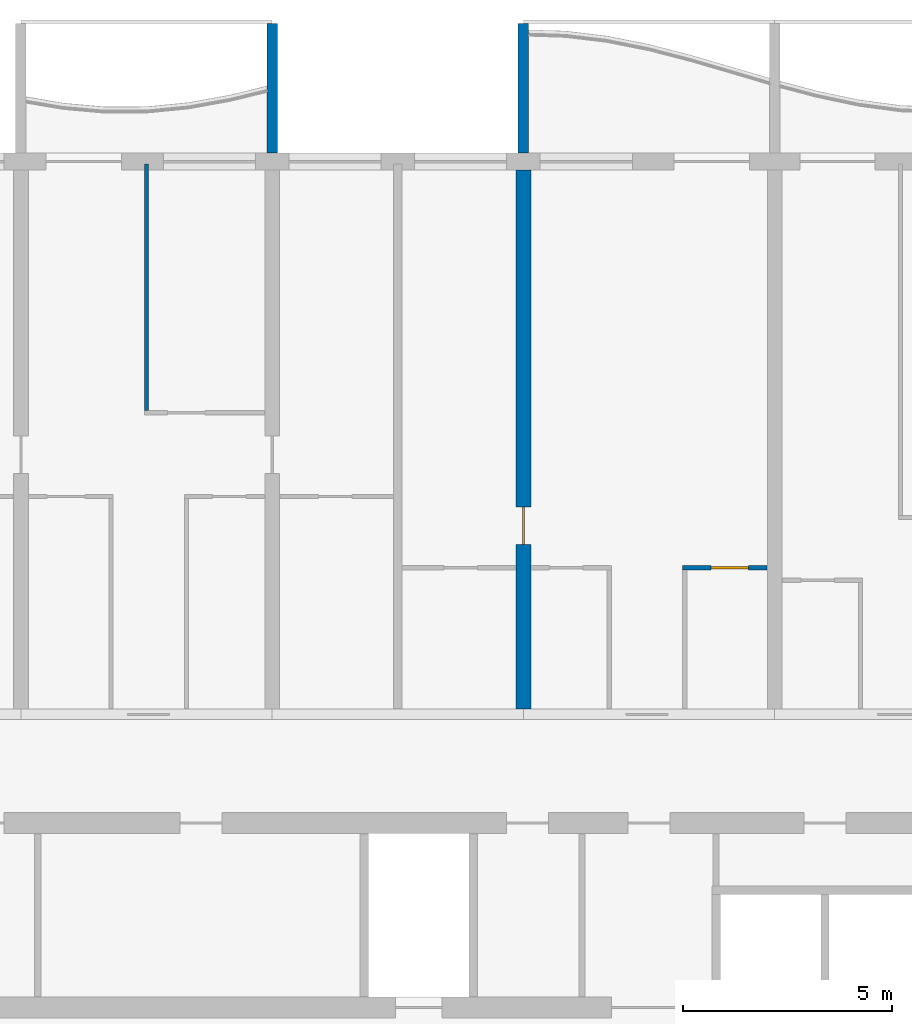
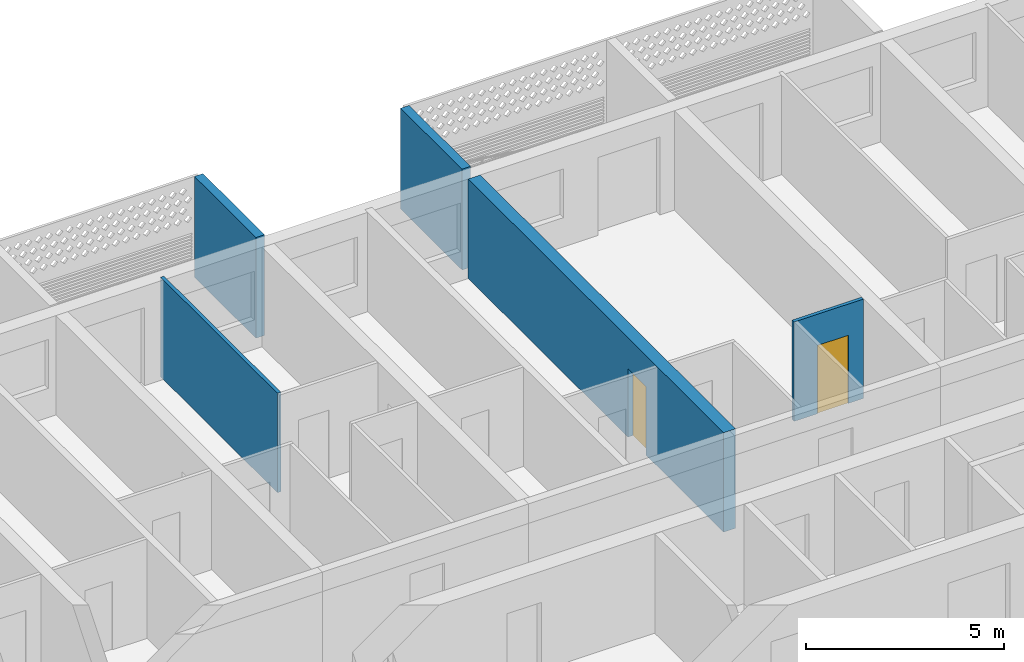
# One storey, part 11 of 30: 5 walls, 2 doors, 2 openings.
"""IFC4 building model written with IfcOpenShell, lengths in metres."""

from ifc_helpers import new_model, si_unit, direction, frame, frame_2d, origin, place, context, subcontext, project, spatial, polyline, rectangle, outline, extrude, source, transform, mapped, material, layer, layer_set, type_object, element, fill, save


model = new_model("IFC4")

# Units and contexts
model_context = context("Model", 3, precision=1e-05, world=origin(), true_north=direction((0.0, 1.0)))
body_context = subcontext(model_context, "Body", "Model", "MODEL_VIEW")
ifc_project = project(units=[si_unit("LENGTHUNIT", "METRE"), si_unit("AREAUNIT", "SQUARE_METRE"), si_unit("VOLUMEUNIT", "CUBIC_METRE"), si_unit("PLANEANGLEUNIT", "RADIAN"), si_unit("MASSUNIT", "GRAM", prefix="KILO")], contexts=[model_context])

# Site, building, storey
site_placement = place(None, origin())
site = spatial("IfcSite", under=ifc_project, at=site_placement, CompositionType="ELEMENT")
building_placement = place(site_placement, origin())
building = spatial("IfcBuilding", under=site, at=building_placement, Name="Poui Terraces", CompositionType="ELEMENT")
storey_placement = place(building_placement, frame((0.0, 0.0, 99.300048828125)))
storey = spatial("IfcBuildingStorey", under=building, at=storey_placement, Name="L27", CompositionType="ELEMENT", Elevation=99.300048828125)

# Wall, opening, door
ifc_material_1 = material(Name="Concrete 65 MPa", Category="concrete")
ifc_layer_1 = layer(ifc_material_1, 0.35009765625)
ifc_layer_set_1 = layer_set([ifc_layer_1], Name="Concrete 65 MPa")
wall_type_1 = type_object("IfcWallType", Name="CROSS WALL 350 65MPa", PredefinedType="SHEAR", material=ifc_layer_set_1)
wall_1_placement = place(storey_placement, frame((48.0, 30.52490234375, 0.0), z_axis=(0.0, 0.0, 1.0), x_axis=(0.0, 1.0, 0.0)))
wall_1 = element("IfcWall", 1, at=wall_1_placement, inside=storey, type_object=wall_type_1, Name="CROSS WALL LINE 9 NORTH", PredefinedType="SHEAR", context=body_context, shape_type="SweptSolid", body=[
    extrude(rectangle(XDim=12.875, YDim=0.35009765625, at=frame_2d((6.4375, 0.0))), origin(), (0.0, 0.0, 1.0), 3.06005859375),
])
opening_1_placement = place(wall_1_placement, frame((3.925048828125, 0.0, 0.0)))
opening_1 = element("IfcOpeningElement", 2, at=opening_1_placement, cuts=wall_1, Name="Opening D90", PredefinedType="OPENING", context=body_context, shape_type="SweptSolid", body=[
    extrude(rectangle(XDim=0.89990234375, YDim=2.10009765625, at=frame_2d((0.449951171875, 1.050048828125))), frame((0.0, 0.18505859375, 0.0), z_axis=(0.0, -1.0, 0.0), x_axis=(1.0, 0.0, 0.0)), (0.0, 0.0, 1.0), 0.3701171875),
])
ifc_material_2 = material(Name="Solid core timber door", Category="wood")
door_type = type_object("IfcDoorType", Name="INTERNAL DOOR 900 X 2100", OperationType="NOTDEFINED", PredefinedType="DOOR", material=ifc_material_2)
door_1_placement = place(opening_1_placement, origin())
door_1 = element("IfcDoor", 3, at=door_1_placement, inside=storey, type_object=door_type, Name="INTERNAL DOOR 054", OperationType="SINGLE_SWING_LEFT", OverallHeight=2.10009765625, OverallWidth=0.89990234375, PredefinedType="DOOR", context=body_context, shape_type="SweptSolid", body=[
    extrude(rectangle(XDim=0.89990234375, YDim=2.10009765625, at=frame_2d((0.449951171875, 1.050048828125))), frame((0.0, 0.02490234375, 0.0), z_axis=(0.0, -1.0, 0.0), x_axis=(1.0, 0.0, 0.0)), (0.0, 0.0, 1.0), 0.050048828125),
])
fill(opening_1, door_1)

ifc_material_3 = material(Name="Plasterboard partition")
ifc_layer_2 = layer(ifc_material_3, 0.10009765625)
ifc_layer_set_2 = layer_set([ifc_layer_2], Name="Plasterboard partition")
wall_type_2 = type_object("IfcWallType", Name="FLAT PARTITION 100", PredefinedType="PARTITIONING", material=ifc_layer_set_2)
wall_2_placement = place(storey_placement, frame((51.800048828125, 33.89990234375, 0.0), z_axis=(0.0, 0.0, 1.0), x_axis=(1.0, 0.0, 0.0)))
wall_2 = element("IfcWall", 4, at=wall_2_placement, inside=storey, type_object=wall_type_2, Name="FLAT PARTITION 100", PredefinedType="PARTITIONING", context=body_context, shape_type="SweptSolid", body=[
    extrude(rectangle(XDim=2.014892578125, YDim=0.10009765625, at=frame_2d((1.00732421875, 0.0))), origin(), (0.0, 0.0, 1.0), 3.06005859375),
])
opening_2_placement = place(wall_2_placement, frame((0.675048828125, 0.0, 0.0)))
opening_2 = element("IfcOpeningElement", 5, at=opening_2_placement, cuts=wall_2, Name="Opening D90", PredefinedType="OPENING", context=body_context, shape_type="SweptSolid", body=[
    extrude(rectangle(XDim=0.89990234375, YDim=2.10009765625, at=frame_2d((0.449951171875, 1.050048828125))), frame((0.0, 0.06005859375, 0.0), z_axis=(0.0, -1.0, 0.0), x_axis=(1.0, 0.0, 0.0)), (0.0, 0.0, 1.0), 0.1201171875),
])
door_2_placement = place(opening_2_placement, frame((0.89990234375, 0.0, 0.0), z_axis=(0.0, 0.0, 1.0), x_axis=(-1.0, 0.0, 0.0)))
door_2 = element("IfcDoor", 6, at=door_2_placement, inside=storey, type_object=door_type, Name="INTERNAL DOOR 057", OperationType="SINGLE_SWING_RIGHT", OverallHeight=2.10009765625, OverallWidth=0.89990234375, PredefinedType="DOOR", context=body_context, shape_type="SweptSolid", body=[
    extrude(rectangle(XDim=0.89990234375, YDim=2.10009765625, at=frame_2d((0.449951171875, 1.050048828125))), frame((0.0, 0.02490234375, 0.0), z_axis=(0.0, -1.0, 0.0), x_axis=(1.0, 0.0, 0.0)), (0.0, 0.0, 1.0), 0.050048828125),
])
fill(opening_2, door_2)

# Walls
wall_3_placement = place(storey_placement, frame((39.0, 37.64990234375, 0.0), z_axis=(0.0, 0.0, 1.0), x_axis=(0.0, 1.0, 0.0)))
element("IfcWall", 7, at=wall_3_placement, inside=storey, type_object=wall_type_2, Name="FLAT PARTITION 100", PredefinedType="PARTITIONING", context=body_context, shape_type="SweptSolid", body=[
    extrude(rectangle(XDim=5.89013671875, YDim=0.10009765625, at=frame_2d((2.945068359375, 0.0))), origin(), (0.0, 0.0, 1.0), 3.06005859375),
])
ifc_material_4 = material(Name="Precast concrete 40 MPa", Category="concrete")
ifc_layer_3 = layer(ifc_material_4, 0.25)
ifc_layer_set_3 = layer_set([ifc_layer_3], Name="Precast concrete 40 MPa")
wall_type_3 = type_object("IfcWallType", Name="BALCONY FIN 250", PredefinedType="STANDARD", material=ifc_layer_set_3)
shared_shape = source(origin(), body_context, "Body", "SweptSolid", [
    extrude(outline(polyline([(0.0, 0.0), (0.25, 0.0), (0.25, 3.099853515625), (0.0, 3.099853515625), (0.0, 0.0)])), origin(), (0.0, 0.0, 1.0), 3.099853515625),
])
for number, where, name in (
    (8, (41.875, 43.800048828125, 0.0), "BALCONY FIN"),
    (9, (47.875, 43.800048828125, 0.0), "BALCONY FIN"),
):
    element("IfcWall", number, at=place(storey_placement, frame(where)), inside=storey, type_object=wall_type_3, Name=name, PredefinedType="STANDARD", context=body_context, shape_type="MappedRepresentation", body=[
        mapped(shared_shape, transform((0.0, 0.0, 0.0))),
    ])

save(model, "model.ifc")
